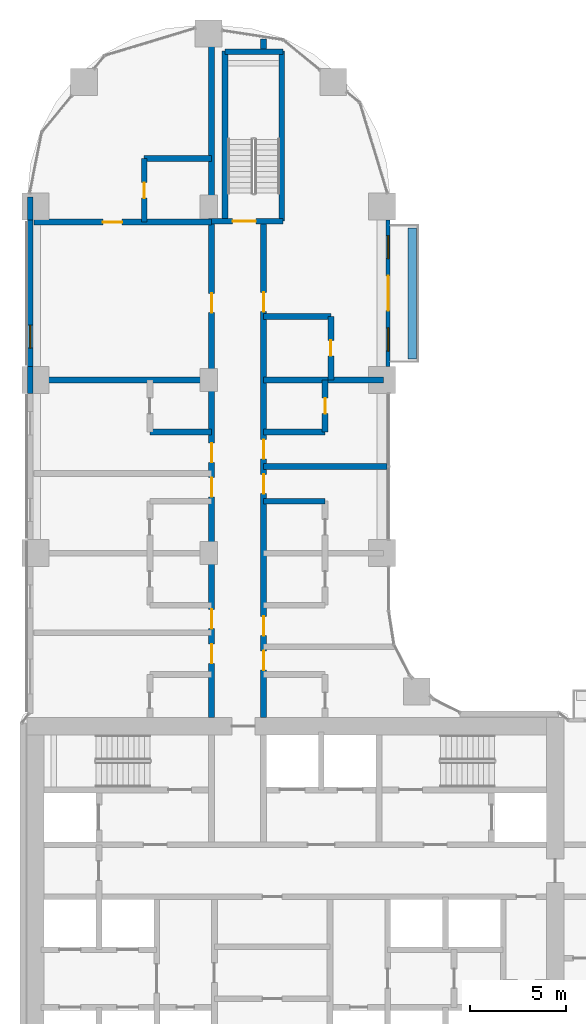
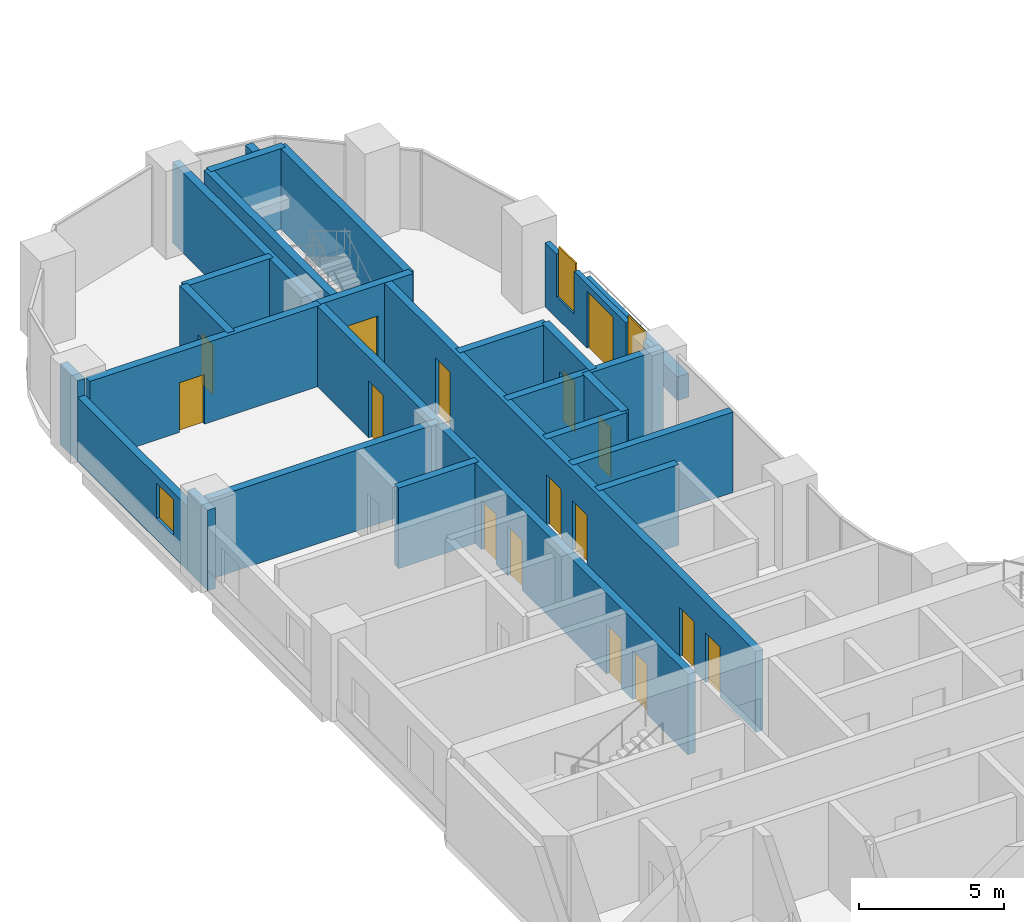
# One storey, part 18 of 30: 24 walls, 16 doors, 3 windows, 19 openings.
"""IFC4 building model written with IfcOpenShell, lengths in metres."""

from ifc_helpers import new_model, si_unit, direction, frame, frame_2d, origin, origin_2d, place, context, subcontext, project, spatial, rectangle, extrude, material, layer, layer_set, type_object, element, fill, save


model = new_model("IFC4")

# Units and contexts
model_context = context("Model", 3, precision=1e-05, world=origin(), true_north=direction((0.0, 1.0)))
body_context = subcontext(model_context, "Body", "Model", "MODEL_VIEW")
ifc_project = project(units=[si_unit("LENGTHUNIT", "METRE"), si_unit("AREAUNIT", "SQUARE_METRE"), si_unit("VOLUMEUNIT", "CUBIC_METRE"), si_unit("PLANEANGLEUNIT", "RADIAN"), si_unit("MASSUNIT", "GRAM", prefix="KILO")], contexts=[model_context])

# Site, building, storey
site_placement = place(None, origin())
site = spatial("IfcSite", under=ifc_project, at=site_placement, CompositionType="ELEMENT")
building_placement = place(site_placement, origin())
building = spatial("IfcBuilding", under=site, at=building_placement, Name="Ogive Portal Towers", CompositionType="ELEMENT")
storey_placement = place(building_placement, frame((0.0, 0.0, 37.199951171875)))
storey = spatial("IfcBuildingStorey", under=building, at=storey_placement, Name="L07", CompositionType="ELEMENT", Elevation=37.199951171875)

# Wall, openings, door, windows
ifc_material_1 = material(Name="Limestone cladding on lightweight block wall", Category="masonry")
ifc_layer_1 = layer(ifc_material_1, 0.199951171875)
ifc_layer_set_1 = layer_set([ifc_layer_1], Name="BALCONY BAY WALL 200")
wall_type_1 = type_object("IfcWallType", Name="BALCONY BAY WALL 200", PredefinedType="SOLIDWALL", material=ifc_layer_set_1)
wall_1_placement = place(storey_placement, frame((49.824951171875, 65.800048828125, 0.0), z_axis=(0.0, 0.0, 1.0), x_axis=(0.0, -1.0, 0.0)))
wall_1 = element("IfcWall", 1, at=wall_1_placement, inside=storey, type_object=wall_type_1, Name="A:L07:f06:bay0", PredefinedType="SOLIDWALL", context=body_context, shape_type="SweptSolid", body=[
    extrude(rectangle(XDim=7.60009765625, YDim=0.199951171875, at=frame_2d((3.800048828125, 0.0))), origin(), (0.0, 0.0, 1.0), 2.699951171875),
])
opening_1_placement = place(wall_1_placement, frame((2.89990234375, 0.0, 0.0)))
opening_1 = element("IfcOpeningElement", 2, at=opening_1_placement, cuts=wall_1, Name="Opening DX022", PredefinedType="OPENING", context=body_context, shape_type="SweptSolid", body=[
    extrude(rectangle(XDim=1.800048828125, YDim=2.39990234375, at=frame_2d((0.89990234375, 1.199951171875))), frame((0.0, 0.10986328125, 0.0), z_axis=(0.0, -1.0, 0.0), x_axis=(1.0, 0.0, 0.0)), (0.0, 0.0, 1.0), 0.219970703125),
])
opening_2_placement = place(wall_1_placement, frame((5.60009765625, 0.0, 0.89990234375)))
opening_2 = element("IfcOpeningElement", 3, at=opening_2_placement, cuts=wall_1, Name="Opening WN2", PredefinedType="OPENING", context=body_context, shape_type="SweptSolid", body=[
    extrude(rectangle(XDim=1.199951171875, YDim=2.10009765625, at=frame_2d((0.60009765625, 1.050048828125))), frame((0.0, 0.10986328125, 0.0), z_axis=(0.0, -1.0, 0.0), x_axis=(1.0, 0.0, 0.0)), (0.0, 0.0, 1.0), 0.219970703125),
])
opening_3_placement = place(wall_1_placement, frame((0.800048828125, 0.0, 0.89990234375)))
opening_3 = element("IfcOpeningElement", 4, at=opening_3_placement, cuts=wall_1, Name="Opening WN2", PredefinedType="OPENING", context=body_context, shape_type="SweptSolid", body=[
    extrude(rectangle(XDim=1.199951171875, YDim=2.10009765625, at=frame_2d((0.60009765625, 1.050048828125))), frame((0.0, 0.10986328125, 0.0), z_axis=(0.0, -1.0, 0.0), x_axis=(1.0, 0.0, 0.0)), (0.0, 0.0, 1.0), 0.219970703125),
])
ifc_material_2 = material(Name="Aluminium 6063 anodised", Category="aluminium")
door_type_1 = type_object("IfcDoorType", Name="BALCONY DOOR 1800x2400", OperationType="DOUBLE_DOOR_SINGLE_SWING", PredefinedType="DOOR", material=ifc_material_2)
door_1_placement = place(opening_1_placement, origin())
door_1 = element("IfcDoor", 5, at=door_1_placement, inside=storey, type_object=door_type_1, Name="A:L07:f06:bay0/o0", OperationType="SINGLE_SWING_LEFT", OverallHeight=2.39990234375, OverallWidth=1.800048828125, PredefinedType="DOOR", context=body_context, shape_type="SweptSolid", body=[
    extrude(rectangle(XDim=1.800048828125, YDim=2.39990234375, at=frame_2d((0.89990234375, 1.199951171875))), frame((0.0, 0.02490234375, 0.0), z_axis=(0.0, -1.0, 0.0), x_axis=(1.0, 0.0, 0.0)), (0.0, 0.0, 1.0), 0.050048828125),
])
fill(opening_1, door_1)
ifc_material_3 = material(Name="Glass, clear low-iron insulated glazing", Category="glass")
window_type_1 = type_object("IfcWindowType", Name="WINDOW BALCONY BAY 1200x2100", PartitioningType="SINGLE_PANEL", PredefinedType="WINDOW", material=ifc_material_3)
window_1_placement = place(opening_2_placement, origin())
window_1 = element("IfcWindow", 6, at=window_1_placement, inside=storey, type_object=window_type_1, Name="A:L07:f06:bay0/o1", OverallHeight=2.10009765625, OverallWidth=1.199951171875, PartitioningType="SINGLE_PANEL", PredefinedType="WINDOW", context=body_context, shape_type="SweptSolid", body=[
    extrude(rectangle(XDim=1.199951171875, YDim=2.10009765625, at=frame_2d((0.60009765625, 1.050048828125))), frame((0.0, 0.030029296875, 0.0), z_axis=(0.0, -1.0, 0.0), x_axis=(1.0, 0.0, 0.0)), (0.0, 0.0, 1.0), 0.06005859375),
])
fill(opening_2, window_1)
window_2_placement = place(opening_3_placement, origin())
window_2 = element("IfcWindow", 7, at=window_2_placement, inside=storey, type_object=window_type_1, Name="A:L07:f06:bay0/o2", OverallHeight=2.10009765625, OverallWidth=1.199951171875, PartitioningType="SINGLE_PANEL", PredefinedType="WINDOW", context=body_context, shape_type="SweptSolid", body=[
    extrude(rectangle(XDim=1.199951171875, YDim=2.10009765625, at=frame_2d((0.60009765625, 1.050048828125))), frame((0.0, 0.030029296875, 0.0), z_axis=(0.0, -1.0, 0.0), x_axis=(1.0, 0.0, 0.0)), (0.0, 0.0, 1.0), 0.06005859375),
])
fill(opening_3, window_2)

# Wall
ifc_layer_2 = layer(ifc_material_1, 0.300048828125)
ifc_layer_set_2 = layer_set([ifc_layer_2], Name="EXTERNAL WALL 300 STONE")
wall_type_2 = type_object("IfcWallType", Name="EXTERNAL WALL 300 STONE", PredefinedType="SOLIDWALL", material=ifc_layer_set_2)
wall_2_placement = place(storey_placement, frame((31.22509765625, 66.9921875, 0.0), z_axis=(0.0, 0.0, 1.0), x_axis=(0.0, -1.0, 0.0)))
element("IfcWall", 8, at=wall_2_placement, inside=storey, type_object=wall_type_2, Name="A:L07:f13:r0:wall", PredefinedType="SOLIDWALL", context=body_context, shape_type="SweptSolid", body=[
    extrude(rectangle(XDim=1.192138671875, YDim=0.300048828125, at=frame_2d((0.59619140625, 0.0))), origin(), (0.0, 0.0, 1.0), 3.400146484375),
])

# Wall, opening, window
wall_3_placement = place(storey_placement, frame((31.22509765625, 65.800048828125, 0.0), z_axis=(0.0, 0.0, 1.0), x_axis=(0.0, -1.0, 0.0)))
wall_3 = element("IfcWall", 9, at=wall_3_placement, inside=storey, type_object=wall_type_2, Name="A:L07:f13:r0:wall1", PredefinedType="SOLIDWALL", context=body_context, shape_type="SweptSolid", body=[
    extrude(rectangle(XDim=7.60009765625, YDim=0.300048828125, at=frame_2d((3.800048828125, 0.0))), origin(), (0.0, 0.0, 1.0), 2.699951171875),
])
opening_4_placement = place(wall_3_placement, frame((5.449951171875, 0.0, 0.89990234375)))
opening_4 = element("IfcOpeningElement", 10, at=opening_4_placement, cuts=wall_3, Name="Opening WN9", PredefinedType="OPENING", context=body_context, shape_type="SweptSolid", body=[
    extrude(rectangle(XDim=1.199951171875, YDim=1.5, at=frame_2d((0.60009765625, 0.75))), frame((0.0, 0.16015625, 0.0), z_axis=(0.0, -1.0, 0.0), x_axis=(1.0, 0.0, 0.0)), (0.0, 0.0, 1.0), 0.320068359375),
])
window_type_2 = type_object("IfcWindowType", Name="WINDOW HOTEL CASEMENT 1200x1500", PartitioningType="DOUBLE_PANEL_VERTICAL", PredefinedType="WINDOW", material=ifc_material_3)
window_3_placement = place(opening_4_placement, origin())
window_3 = element("IfcWindow", 11, at=window_3_placement, inside=storey, type_object=window_type_2, Name="A:L07:f13:r0:w1", OverallHeight=1.5, OverallWidth=1.199951171875, PartitioningType="SINGLE_PANEL", PredefinedType="WINDOW", context=body_context, shape_type="SweptSolid", body=[
    extrude(rectangle(XDim=1.199951171875, YDim=1.5, at=frame_2d((0.60009765625, 0.75))), frame((0.0, 0.030029296875, 0.0), z_axis=(0.0, -1.0, 0.0), x_axis=(1.0, 0.0, 0.0)), (0.0, 0.0, 1.0), 0.06005859375),
])
fill(opening_4, window_3)

# Walls
wall_4_placement = place(storey_placement, frame((31.22509765625, 58.199951171875, 0.0), z_axis=(0.0, 0.0, 1.0), x_axis=(0.0, -1.0, 0.0)))
element("IfcWall", 12, at=wall_4_placement, inside=storey, type_object=wall_type_2, Name="A:L07:f13:r0:wall2", PredefinedType="SOLIDWALL", context=body_context, shape_type="SweptSolid", body=[
    extrude(rectangle(XDim=1.39990234375, YDim=0.300048828125, at=frame_2d((0.699951171875, 0.0))), origin(), (0.0, 0.0, 1.0), 3.400146484375),
])
ifc_material_4 = material(Name="Concrete C40/50", Category="concrete")
ifc_layer_3 = layer(ifc_material_4, 0.449951171875)
ifc_layer_set_3 = layer_set([ifc_layer_3], Name="PLANTER WALL 450")
wall_type_3 = type_object("IfcWallType", Name="PLANTER WALL 450", PredefinedType="SOLIDWALL", material=ifc_layer_set_3)
wall_5_placement = place(storey_placement, frame((51.080078125, 62.0, 0.0), z_axis=(0.0, 0.0, 1.0), x_axis=(1.0, 0.0, 0.0)))
element("IfcWall", 13, at=wall_5_placement, inside=storey, type_object=wall_type_3, Name="Planter S2", PredefinedType="SOLIDWALL", context=body_context, shape_type="SweptSolid", body=[
    extrude(rectangle(XDim=0.449951171875, YDim=6.800048828125, at=origin_2d()), origin(), (0.0, 0.0, 1.0), 1.0),
])

# Wall, opening, door
ifc_material_5 = material(Name="Concrete C50/60", Category="concrete")
ifc_layer_4 = layer(ifc_material_5, 0.300048828125)
ifc_layer_set_4 = layer_set([ifc_layer_4], Name="STAIR WALL 300 C50")
wall_type_4 = type_object("IfcWallType", Name="STAIR WALL 300 C50", PredefinedType="SHEAR", material=ifc_layer_set_4)
wall_6_placement = place(storey_placement, frame((40.64990234375, 65.75, 0.0), z_axis=(0.0, 0.0, 1.0), x_axis=(1.0, 0.0, 0.0)))
wall_6 = element("IfcWall", 14, at=wall_6_placement, inside=storey, type_object=wall_type_4, Name="Stair wall ST-A3 L07", PredefinedType="SHEAR", context=body_context, shape_type="SweptSolid", body=[
    extrude(rectangle(XDim=3.7001953125, YDim=0.300048828125, at=frame_2d((1.85009765625, 0.0))), origin(), (0.0, 0.0, 1.0), 3.400146484375),
])
opening_5_placement = place(wall_6_placement, frame((1.10009765625, 0.0, 0.0)))
opening_5 = element("IfcOpeningElement", 15, at=opening_5_placement, cuts=wall_6, Name="Opening D01-071", PredefinedType="OPENING", context=body_context, shape_type="SweptSolid", body=[
    extrude(rectangle(XDim=1.199951171875, YDim=2.10009765625, at=frame_2d((0.60009765625, 1.050048828125))), frame((0.0, 0.16015625, 0.0), z_axis=(0.0, -1.0, 0.0), x_axis=(1.0, 0.0, 0.0)), (0.0, 0.0, 1.0), 0.320068359375),
])
ifc_material_6 = material(Name="Steel fire door", Category="steel")
door_type_2 = type_object("IfcDoorType", Name="DT-STAIR-1200x2100-FD90S", OperationType="SINGLE_SWING_LEFT", PredefinedType="DOOR", material=ifc_material_6)
door_2_placement = place(opening_5_placement, origin())
door_2 = element("IfcDoor", 16, at=door_2_placement, inside=storey, type_object=door_type_2, Name="Door D01-071", OperationType="SINGLE_SWING_RIGHT", OverallHeight=2.10009765625, OverallWidth=1.199951171875, PredefinedType="DOOR", context=body_context, shape_type="SweptSolid", body=[
    extrude(rectangle(XDim=1.199951171875, YDim=2.10009765625, at=frame_2d((0.60009765625, 1.050048828125))), frame((0.0, 0.02490234375, 0.0), z_axis=(0.0, -1.0, 0.0), x_axis=(1.0, 0.0, 0.0)), (0.0, 0.0, 1.0), 0.050048828125),
])
fill(opening_5, door_2)

# Walls
wall_7_placement = place(storey_placement, frame((41.35009765625, 74.550048828125, 0.0), z_axis=(0.0, 0.0, 1.0), x_axis=(1.0, 0.0, 0.0)))
element("IfcWall", 17, at=wall_7_placement, inside=storey, type_object=wall_type_4, Name="Stair wall ST-A3 L07", PredefinedType="SHEAR", context=body_context, shape_type="SweptSolid", body=[
    extrude(rectangle(XDim=3.0, YDim=0.300048828125, at=frame_2d((1.5, 0.0))), origin(), (0.0, 0.0, 1.0), 3.400146484375),
])
for number, where, z_axis, x_axis, name in (
    (18, (41.35009765625, 65.75, 0.0), (0.0, 0.0, 1.0), (0.0, 1.0, 0.0), "Stair wall ST-A3 L07"),
    (19, (44.300048828125, 65.75, 0.0), (0.0, 0.0, 1.0), (0.0, 1.0, 0.0), "Stair wall ST-A3 L07"),
):
    element("IfcWall", number, at=place(storey_placement, frame(where, z_axis=z_axis, x_axis=x_axis)), inside=storey, type_object=wall_type_4, Name=name, PredefinedType="SHEAR", context=body_context, shape_type="SweptSolid", body=[
        extrude(rectangle(XDim=8.85009765625, YDim=0.300048828125, at=frame_2d((4.425048828125, 0.0))), origin(), (0.0, 0.0, 1.0), 3.400146484375),
    ])
ifc_material_7 = material(Name="Gypsum board partition on steel studs", Category="steel")
ifc_layer_5 = layer(ifc_material_7, 0.300048828125)
ifc_layer_set_5 = layer_set([ifc_layer_5], Name="WT-PART-300-EI 60")
wall_type_5 = type_object("IfcWallType", Name="WT-PART-300-EI 60", PredefinedType="PARTITIONING", material=ifc_layer_set_5)
wall_8_placement = place(storey_placement, frame((43.35009765625, 51.199951171875, 0.0), z_axis=(0.0, 0.0, 1.0), x_axis=(1.0, 0.0, 0.0)))
element("IfcWall", 20, at=wall_8_placement, inside=storey, type_object=wall_type_5, Name="Wall L07:w023", PredefinedType="PARTITIONING", context=body_context, shape_type="SweptSolid", body=[
    extrude(rectangle(XDim=3.199951171875, YDim=0.300048828125, at=frame_2d((1.60009765625, 0.0))), origin(), (0.0, 0.0, 1.0), 3.400146484375),
])
wall_9_placement = place(storey_placement, frame((43.35009765625, 53.0, 0.0), z_axis=(0.0, 0.0, 1.0), x_axis=(1.0, 0.0, 0.0)))
element("IfcWall", 21, at=wall_9_placement, inside=storey, type_object=wall_type_5, Name="Wall L07:w025", PredefinedType="PARTITIONING", context=body_context, shape_type="SweptSolid", body=[
    extrude(rectangle(XDim=6.40478515625, YDim=0.300048828125, at=frame_2d((3.202392578125, 0.0))), origin(), (0.0, 0.0, 1.0), 3.400146484375),
])
for number, where, z_axis, x_axis, name in (
    (22, (37.449951171875, 54.800048828125, 0.0), (0.0, 0.0, 1.0), (1.0, 0.0, 0.0), "Wall L07:w026"),
    (23, (43.35009765625, 54.800048828125, 0.0), (0.0, 0.0, 1.0), (1.0, 0.0, 0.0), "Wall L07:w027"),
):
    element("IfcWall", number, at=place(storey_placement, frame(where, z_axis=z_axis, x_axis=x_axis)), inside=storey, type_object=wall_type_5, Name=name, PredefinedType="PARTITIONING", context=body_context, shape_type="SweptSolid", body=[
        extrude(rectangle(XDim=3.199951171875, YDim=0.300048828125, at=frame_2d((1.60009765625, 0.0))), origin(), (0.0, 0.0, 1.0), 3.400146484375),
    ])
wall_10_placement = place(storey_placement, frame((31.425048828125, 57.5, 0.0), z_axis=(0.0, 0.0, 1.0), x_axis=(1.0, 0.0, 0.0)))
element("IfcWall", 24, at=wall_10_placement, inside=storey, type_object=wall_type_5, Name="Wall L07:w028", PredefinedType="PARTITIONING", context=body_context, shape_type="SweptSolid", body=[
    extrude(rectangle(XDim=9.224853515625, YDim=0.300048828125, at=frame_2d((4.6123046875, 0.0))), origin(), (0.0, 0.0, 1.0), 3.400146484375),
])
wall_11_placement = place(storey_placement, frame((43.35009765625, 57.5, 0.0), z_axis=(0.0, 0.0, 1.0), x_axis=(1.0, 0.0, 0.0)))
element("IfcWall", 25, at=wall_11_placement, inside=storey, type_object=wall_type_5, Name="Wall L07:w029", PredefinedType="PARTITIONING", context=body_context, shape_type="SweptSolid", body=[
    extrude(rectangle(XDim=6.224853515625, YDim=0.300048828125, at=frame_2d((3.1123046875, 0.0))), origin(), (0.0, 0.0, 1.0), 3.400146484375),
])
wall_12_placement = place(storey_placement, frame((43.35009765625, 60.800048828125, 0.0), z_axis=(0.0, 0.0, 1.0), x_axis=(1.0, 0.0, 0.0)))
element("IfcWall", 26, at=wall_12_placement, inside=storey, type_object=wall_type_5, Name="Wall L07:w030", PredefinedType="PARTITIONING", context=body_context, shape_type="SweptSolid", body=[
    extrude(rectangle(XDim=3.5, YDim=0.300048828125, at=frame_2d((1.75, 0.0))), origin(), (0.0, 0.0, 1.0), 3.400146484375),
])

# Wall, opening, door
wall_13_placement = place(storey_placement, frame((31.425048828125, 65.699951171875, 0.0), z_axis=(0.0, 0.0, 1.0), x_axis=(1.0, 0.0, 0.0)))
wall_13 = element("IfcWall", 27, at=wall_13_placement, inside=storey, type_object=wall_type_5, Name="Wall L07:w031", PredefinedType="PARTITIONING", context=body_context, shape_type="SweptSolid", body=[
    extrude(rectangle(XDim=9.224853515625, YDim=0.300048828125, at=frame_2d((4.6123046875, 0.0))), origin(), (0.0, 0.0, 1.0), 3.400146484375),
])
opening_6_placement = place(wall_13_placement, frame((3.574951171875, 0.0, 0.0)))
opening_6 = element("IfcOpeningElement", 28, at=opening_6_placement, cuts=wall_13, Name="Opening D01-065", PredefinedType="OPENING", context=body_context, shape_type="SweptSolid", body=[
    extrude(rectangle(XDim=1.0, YDim=2.10009765625, at=frame_2d((0.5, 1.050048828125))), frame((0.0, 0.16015625, 0.0), z_axis=(0.0, -1.0, 0.0), x_axis=(1.0, 0.0, 0.0)), (0.0, 0.0, 1.0), 0.320068359375),
])
door_type_3 = type_object("IfcDoorType", Name="DT-ENTRY-1000x2100-FD60S", OperationType="SINGLE_SWING_LEFT", PredefinedType="DOOR", material=ifc_material_6)
door_3_placement = place(opening_6_placement, origin())
door_3 = element("IfcDoor", 29, at=door_3_placement, inside=storey, type_object=door_type_3, Name="Door D01-065", OperationType="SINGLE_SWING_RIGHT", OverallHeight=2.10009765625, OverallWidth=1.0, PredefinedType="DOOR", context=body_context, shape_type="SweptSolid", body=[
    extrude(rectangle(XDim=1.0, YDim=2.10009765625, at=frame_2d((0.5, 1.050048828125))), frame((0.0, 0.02490234375, 0.0), z_axis=(0.0, -1.0, 0.0), x_axis=(1.0, 0.0, 0.0)), (0.0, 0.0, 1.0), 0.050048828125),
])
fill(opening_6, door_3)

# Wall
wall_14_placement = place(storey_placement, frame((37.14990234375, 69.0, 0.0), z_axis=(0.0, 0.0, 1.0), x_axis=(1.0, 0.0, 0.0)))
element("IfcWall", 30, at=wall_14_placement, inside=storey, type_object=wall_type_5, Name="Wall L07:w033", PredefinedType="PARTITIONING", context=body_context, shape_type="SweptSolid", body=[
    extrude(rectangle(XDim=3.5, YDim=0.300048828125, at=frame_2d((1.75, 0.0))), origin(), (0.0, 0.0, 1.0), 3.400146484375),
])

# Wall, opening, door
wall_15_placement = place(storey_placement, frame((37.14990234375, 65.699951171875, 0.0), z_axis=(0.0, 0.0, 1.0), x_axis=(0.0, 1.0, 0.0)))
wall_15 = element("IfcWall", 31, at=wall_15_placement, inside=storey, type_object=wall_type_5, Name="Wall L07:w035", PredefinedType="PARTITIONING", context=body_context, shape_type="SweptSolid", body=[
    extrude(rectangle(XDim=3.300048828125, YDim=0.300048828125, at=frame_2d((1.64990234375, 0.0))), origin(), (0.0, 0.0, 1.0), 3.400146484375),
])
opening_7_placement = place(wall_15_placement, frame((1.25, 0.0, 0.0)))
opening_7 = element("IfcOpeningElement", 32, at=opening_7_placement, cuts=wall_15, Name="Opening D01-066", PredefinedType="OPENING", context=body_context, shape_type="SweptSolid", body=[
    extrude(rectangle(XDim=0.800048828125, YDim=2.10009765625, at=frame_2d((0.39990234375, 1.050048828125))), frame((0.0, 0.16015625, 0.0), z_axis=(0.0, -1.0, 0.0), x_axis=(1.0, 0.0, 0.0)), (0.0, 0.0, 1.0), 0.320068359375),
])
door_type_4 = type_object("IfcDoorType", Name="DT-BATH-800x2100-FD60S", OperationType="SINGLE_SWING_LEFT", PredefinedType="DOOR", material=ifc_material_6)
door_4_placement = place(opening_7_placement, origin())
door_4 = element("IfcDoor", 33, at=door_4_placement, inside=storey, type_object=door_type_4, Name="Door D01-066", OperationType="SINGLE_SWING_LEFT", OverallHeight=2.10009765625, OverallWidth=0.800048828125, PredefinedType="DOOR", context=body_context, shape_type="SweptSolid", body=[
    extrude(rectangle(XDim=0.800048828125, YDim=2.10009765625, at=frame_2d((0.39990234375, 1.050048828125))), frame((0.0, 0.02490234375, 0.0), z_axis=(0.0, -1.0, 0.0), x_axis=(1.0, 0.0, 0.0)), (0.0, 0.0, 1.0), 0.050048828125),
])
fill(opening_7, door_4)

# Wall, openings, doors
wall_16_placement = place(storey_placement, frame((40.64990234375, 39.949951171875, 0.0), z_axis=(0.0, 0.0, 1.0), x_axis=(0.0, 1.0, 0.0)))
wall_16 = element("IfcWall", 34, at=wall_16_placement, inside=storey, type_object=wall_type_5, Name="Wall L07:w039", PredefinedType="PARTITIONING", context=body_context, shape_type="SweptSolid", body=[
    extrude(rectangle(XDim=35.625, YDim=0.300048828125, at=frame_2d((17.8125, 0.0))), origin(), (0.0, 0.0, 1.0), 3.400146484375),
])
opening_8_placement = place(wall_16_placement, frame((2.830078125, 0.0, 0.0)))
opening_8 = element("IfcOpeningElement", 35, at=opening_8_placement, cuts=wall_16, Name="Opening D01-051", PredefinedType="OPENING", context=body_context, shape_type="SweptSolid", body=[
    extrude(rectangle(XDim=1.0, YDim=2.10009765625, at=frame_2d((0.5, 1.050048828125))), frame((0.0, 0.16015625, 0.0), z_axis=(0.0, -1.0, 0.0), x_axis=(1.0, 0.0, 0.0)), (0.0, 0.0, 1.0), 0.320068359375),
])
opening_9_placement = place(wall_16_placement, frame((4.6298828125, 0.0, 0.0)))
opening_9 = element("IfcOpeningElement", 36, at=opening_9_placement, cuts=wall_16, Name="Opening D01-053", PredefinedType="OPENING", context=body_context, shape_type="SweptSolid", body=[
    extrude(rectangle(XDim=1.0, YDim=2.10009765625, at=frame_2d((0.5, 1.050048828125))), frame((0.0, 0.16015625, 0.0), z_axis=(0.0, -1.0, 0.0), x_axis=(1.0, 0.0, 0.0)), (0.0, 0.0, 1.0), 0.320068359375),
])
opening_10_placement = place(wall_16_placement, frame((11.469970703125, 0.0, 0.0)))
opening_10 = element("IfcOpeningElement", 37, at=opening_10_placement, cuts=wall_16, Name="Opening D01-059", PredefinedType="OPENING", context=body_context, shape_type="SweptSolid", body=[
    extrude(rectangle(XDim=1.0, YDim=2.10009765625, at=frame_2d((0.5, 1.050048828125))), frame((0.0, 0.16015625, 0.0), z_axis=(0.0, -1.0, 0.0), x_axis=(1.0, 0.0, 0.0)), (0.0, 0.0, 1.0), 0.320068359375),
])
opening_11_placement = place(wall_16_placement, frame((13.27001953125, 0.0, 0.0)))
opening_11 = element("IfcOpeningElement", 38, at=opening_11_placement, cuts=wall_16, Name="Opening D01-061", PredefinedType="OPENING", context=body_context, shape_type="SweptSolid", body=[
    extrude(rectangle(XDim=1.0, YDim=2.10009765625, at=frame_2d((0.5, 1.050048828125))), frame((0.0, 0.16015625, 0.0), z_axis=(0.0, -1.0, 0.0), x_axis=(1.0, 0.0, 0.0)), (0.0, 0.0, 1.0), 0.320068359375),
])
opening_12_placement = place(wall_16_placement, frame((21.050048828125, 0.0, 0.0)))
opening_12 = element("IfcOpeningElement", 39, at=opening_12_placement, cuts=wall_16, Name="Opening D01-064", PredefinedType="OPENING", context=body_context, shape_type="SweptSolid", body=[
    extrude(rectangle(XDim=1.0, YDim=2.39990234375, at=frame_2d((0.5, 1.199951171875))), frame((0.0, 0.16015625, 0.0), z_axis=(0.0, -1.0, 0.0), x_axis=(1.0, 0.0, 0.0)), (0.0, 0.0, 1.0), 0.320068359375),
])
door_5_placement = place(opening_8_placement, origin())
door_5 = element("IfcDoor", 40, at=door_5_placement, inside=storey, type_object=door_type_3, Name="Door D01-051", OperationType="SINGLE_SWING_RIGHT", OverallHeight=2.10009765625, OverallWidth=1.0, PredefinedType="DOOR", context=body_context, shape_type="SweptSolid", body=[
    extrude(rectangle(XDim=1.0, YDim=2.10009765625, at=frame_2d((0.5, 1.050048828125))), frame((0.0, 0.02490234375, 0.0), z_axis=(0.0, -1.0, 0.0), x_axis=(1.0, 0.0, 0.0)), (0.0, 0.0, 1.0), 0.050048828125),
])
fill(opening_8, door_5)
door_6_placement = place(opening_9_placement, origin())
door_6 = element("IfcDoor", 41, at=door_6_placement, inside=storey, type_object=door_type_3, Name="Door D01-053", OperationType="SINGLE_SWING_LEFT", OverallHeight=2.10009765625, OverallWidth=1.0, PredefinedType="DOOR", context=body_context, shape_type="SweptSolid", body=[
    extrude(rectangle(XDim=1.0, YDim=2.10009765625, at=frame_2d((0.5, 1.050048828125))), frame((0.0, 0.02490234375, 0.0), z_axis=(0.0, -1.0, 0.0), x_axis=(1.0, 0.0, 0.0)), (0.0, 0.0, 1.0), 0.050048828125),
])
fill(opening_9, door_6)
door_7_placement = place(opening_10_placement, origin())
door_7 = element("IfcDoor", 42, at=door_7_placement, inside=storey, type_object=door_type_3, Name="Door D01-059", OperationType="SINGLE_SWING_LEFT", OverallHeight=2.10009765625, OverallWidth=1.0, PredefinedType="DOOR", context=body_context, shape_type="SweptSolid", body=[
    extrude(rectangle(XDim=1.0, YDim=2.10009765625, at=frame_2d((0.5, 1.050048828125))), frame((0.0, 0.02490234375, 0.0), z_axis=(0.0, -1.0, 0.0), x_axis=(1.0, 0.0, 0.0)), (0.0, 0.0, 1.0), 0.050048828125),
])
fill(opening_10, door_7)
door_8_placement = place(opening_11_placement, origin())
door_8 = element("IfcDoor", 43, at=door_8_placement, inside=storey, type_object=door_type_3, Name="Door D01-061", OperationType="SINGLE_SWING_LEFT", OverallHeight=2.10009765625, OverallWidth=1.0, PredefinedType="DOOR", context=body_context, shape_type="SweptSolid", body=[
    extrude(rectangle(XDim=1.0, YDim=2.10009765625, at=frame_2d((0.5, 1.050048828125))), frame((0.0, 0.02490234375, 0.0), z_axis=(0.0, -1.0, 0.0), x_axis=(1.0, 0.0, 0.0)), (0.0, 0.0, 1.0), 0.050048828125),
])
fill(opening_11, door_8)
door_type_5 = type_object("IfcDoorType", Name="DT-ENTRY-1000x2400-FD60S", OperationType="SINGLE_SWING_LEFT", PredefinedType="DOOR", material=ifc_material_6)
door_9_placement = place(opening_12_placement, origin())
door_9 = element("IfcDoor", 44, at=door_9_placement, inside=storey, type_object=door_type_5, Name="Door D01-064", OperationType="SINGLE_SWING_LEFT", OverallHeight=2.39990234375, OverallWidth=1.0, PredefinedType="DOOR", context=body_context, shape_type="SweptSolid", body=[
    extrude(rectangle(XDim=1.0, YDim=2.39990234375, at=frame_2d((0.5, 1.199951171875))), frame((0.0, 0.02490234375, 0.0), z_axis=(0.0, -1.0, 0.0), x_axis=(1.0, 0.0, 0.0)), (0.0, 0.0, 1.0), 0.050048828125),
])
fill(opening_12, door_9)

# Wall, opening, door
wall_17_placement = place(storey_placement, frame((46.550048828125, 54.800048828125, 0.0), z_axis=(0.0, 0.0, 1.0), x_axis=(0.0, 1.0, 0.0)))
wall_17 = element("IfcWall", 45, at=wall_17_placement, inside=storey, type_object=wall_type_5, Name="Wall L07:w046", PredefinedType="PARTITIONING", context=body_context, shape_type="SweptSolid", body=[
    extrude(rectangle(XDim=2.699951171875, YDim=0.300048828125, at=frame_2d((1.35009765625, 0.0))), origin(), (0.0, 0.0, 1.0), 3.400146484375),
])
opening_13_placement = place(wall_17_placement, frame((0.949951171875, 0.0, 0.0)))
opening_13 = element("IfcOpeningElement", 46, at=opening_13_placement, cuts=wall_17, Name="Opening D01-056", PredefinedType="OPENING", context=body_context, shape_type="SweptSolid", body=[
    extrude(rectangle(XDim=0.800048828125, YDim=2.10009765625, at=frame_2d((0.39990234375, 1.050048828125))), frame((0.0, 0.16015625, 0.0), z_axis=(0.0, -1.0, 0.0), x_axis=(1.0, 0.0, 0.0)), (0.0, 0.0, 1.0), 0.320068359375),
])
door_10_placement = place(opening_13_placement, origin())
door_10 = element("IfcDoor", 47, at=door_10_placement, inside=storey, type_object=door_type_4, Name="Door D01-056", OperationType="SINGLE_SWING_LEFT", OverallHeight=2.10009765625, OverallWidth=0.800048828125, PredefinedType="DOOR", context=body_context, shape_type="SweptSolid", body=[
    extrude(rectangle(XDim=0.800048828125, YDim=2.10009765625, at=frame_2d((0.39990234375, 1.050048828125))), frame((0.0, 0.02490234375, 0.0), z_axis=(0.0, -1.0, 0.0), x_axis=(1.0, 0.0, 0.0)), (0.0, 0.0, 1.0), 0.050048828125),
])
fill(opening_13, door_10)

wall_18_placement = place(storey_placement, frame((46.85009765625, 57.5, 0.0), z_axis=(0.0, 0.0, 1.0), x_axis=(0.0, 1.0, 0.0)))
wall_18 = element("IfcWall", 48, at=wall_18_placement, inside=storey, type_object=wall_type_5, Name="Wall L07:w047", PredefinedType="PARTITIONING", context=body_context, shape_type="SweptSolid", body=[
    extrude(rectangle(XDim=3.300048828125, YDim=0.300048828125, at=frame_2d((1.64990234375, 0.0))), origin(), (0.0, 0.0, 1.0), 3.400146484375),
])
opening_14_placement = place(wall_18_placement, frame((1.25, 0.0, 0.0)))
opening_14 = element("IfcOpeningElement", 49, at=opening_14_placement, cuts=wall_18, Name="Opening D01-062", PredefinedType="OPENING", context=body_context, shape_type="SweptSolid", body=[
    extrude(rectangle(XDim=0.800048828125, YDim=2.10009765625, at=frame_2d((0.39990234375, 1.050048828125))), frame((0.0, 0.16015625, 0.0), z_axis=(0.0, -1.0, 0.0), x_axis=(1.0, 0.0, 0.0)), (0.0, 0.0, 1.0), 0.320068359375),
])
door_11_placement = place(opening_14_placement, origin())
door_11 = element("IfcDoor", 50, at=door_11_placement, inside=storey, type_object=door_type_4, Name="Door D01-062", OperationType="SINGLE_SWING_LEFT", OverallHeight=2.10009765625, OverallWidth=0.800048828125, PredefinedType="DOOR", context=body_context, shape_type="SweptSolid", body=[
    extrude(rectangle(XDim=0.800048828125, YDim=2.10009765625, at=frame_2d((0.39990234375, 1.050048828125))), frame((0.0, 0.02490234375, 0.0), z_axis=(0.0, -1.0, 0.0), x_axis=(1.0, 0.0, 0.0)), (0.0, 0.0, 1.0), 0.050048828125),
])
fill(opening_14, door_11)

# Wall, openings, doors
ifc_layer_6 = layer(ifc_material_4, 0.300048828125)
ifc_layer_set_6 = layer_set([ifc_layer_6], Name="WT-SHAFT-300")
wall_type_6 = type_object("IfcWallType", Name="WT-SHAFT-300", PredefinedType="SOLIDWALL", material=ifc_layer_set_6)
wall_19_placement = place(storey_placement, frame((43.35009765625, 39.949951171875, 0.0), z_axis=(0.0, 0.0, 1.0), x_axis=(0.0, 1.0, 0.0)))
wall_19 = element("IfcWall", 51, at=wall_19_placement, inside=storey, type_object=wall_type_6, Name="Wall L07:w041", PredefinedType="SOLIDWALL", context=body_context, shape_type="SweptSolid", body=[
    extrude(rectangle(XDim=25.85009765625, YDim=0.300048828125, at=frame_2d((12.925048828125, 0.0))), origin(), (0.0, 0.0, 1.0), 3.400146484375),
])
opening_15_placement = place(wall_19_placement, frame((2.469970703125, 0.0, 0.0)))
opening_15 = element("IfcOpeningElement", 52, at=opening_15_placement, cuts=wall_19, Name="Opening D01-047", PredefinedType="OPENING", context=body_context, shape_type="SweptSolid", body=[
    extrude(rectangle(XDim=1.0, YDim=2.10009765625, at=frame_2d((0.5, 1.050048828125))), frame((0.0, 0.16015625, 0.0), z_axis=(0.0, -1.0, 0.0), x_axis=(1.0, 0.0, 0.0)), (0.0, 0.0, 1.0), 0.320068359375),
])
opening_16_placement = place(wall_19_placement, frame((4.27001953125, 0.0, 0.0)))
opening_16 = element("IfcOpeningElement", 53, at=opening_16_placement, cuts=wall_19, Name="Opening D01-049", PredefinedType="OPENING", context=body_context, shape_type="SweptSolid", body=[
    extrude(rectangle(XDim=1.0, YDim=2.10009765625, at=frame_2d((0.5, 1.050048828125))), frame((0.0, 0.16015625, 0.0), z_axis=(0.0, -1.0, 0.0), x_axis=(1.0, 0.0, 0.0)), (0.0, 0.0, 1.0), 0.320068359375),
])
opening_17_placement = place(wall_19_placement, frame((11.64990234375, 0.0, 0.0)))
opening_17 = element("IfcOpeningElement", 54, at=opening_17_placement, cuts=wall_19, Name="Opening D01-055", PredefinedType="OPENING", context=body_context, shape_type="SweptSolid", body=[
    extrude(rectangle(XDim=1.0, YDim=2.10009765625, at=frame_2d((0.5, 1.050048828125))), frame((0.0, 0.16015625, 0.0), z_axis=(0.0, -1.0, 0.0), x_axis=(1.0, 0.0, 0.0)), (0.0, 0.0, 1.0), 0.320068359375),
])
opening_18_placement = place(wall_19_placement, frame((13.449951171875, 0.0, 0.0)))
opening_18 = element("IfcOpeningElement", 55, at=opening_18_placement, cuts=wall_19, Name="Opening D01-057", PredefinedType="OPENING", context=body_context, shape_type="SweptSolid", body=[
    extrude(rectangle(XDim=1.0, YDim=2.10009765625, at=frame_2d((0.5, 1.050048828125))), frame((0.0, 0.16015625, 0.0), z_axis=(0.0, -1.0, 0.0), x_axis=(1.0, 0.0, 0.0)), (0.0, 0.0, 1.0), 0.320068359375),
])
opening_19_placement = place(wall_19_placement, frame((21.10009765625, 0.0, 0.0)))
opening_19 = element("IfcOpeningElement", 56, at=opening_19_placement, cuts=wall_19, Name="Opening D01-063", PredefinedType="OPENING", context=body_context, shape_type="SweptSolid", body=[
    extrude(rectangle(XDim=1.0, YDim=2.39990234375, at=frame_2d((0.5, 1.199951171875))), frame((0.0, 0.16015625, 0.0), z_axis=(0.0, -1.0, 0.0), x_axis=(1.0, 0.0, 0.0)), (0.0, 0.0, 1.0), 0.320068359375),
])
door_type_6 = type_object("IfcDoorType", Name="DT-ENTRY-1000x2100-FD90S", OperationType="SINGLE_SWING_LEFT", PredefinedType="DOOR", material=ifc_material_6)
door_12_placement = place(opening_15_placement, origin())
door_12 = element("IfcDoor", 57, at=door_12_placement, inside=storey, type_object=door_type_6, Name="Door D01-047", OperationType="SINGLE_SWING_LEFT", OverallHeight=2.10009765625, OverallWidth=1.0, PredefinedType="DOOR", context=body_context, shape_type="SweptSolid", body=[
    extrude(rectangle(XDim=1.0, YDim=2.10009765625, at=frame_2d((0.5, 1.050048828125))), frame((0.0, 0.02490234375, 0.0), z_axis=(0.0, -1.0, 0.0), x_axis=(1.0, 0.0, 0.0)), (0.0, 0.0, 1.0), 0.050048828125),
])
fill(opening_15, door_12)
door_13_placement = place(opening_16_placement, origin())
door_13 = element("IfcDoor", 58, at=door_13_placement, inside=storey, type_object=door_type_6, Name="Door D01-049", OperationType="SINGLE_SWING_LEFT", OverallHeight=2.10009765625, OverallWidth=1.0, PredefinedType="DOOR", context=body_context, shape_type="SweptSolid", body=[
    extrude(rectangle(XDim=1.0, YDim=2.10009765625, at=frame_2d((0.5, 1.050048828125))), frame((0.0, 0.02490234375, 0.0), z_axis=(0.0, -1.0, 0.0), x_axis=(1.0, 0.0, 0.0)), (0.0, 0.0, 1.0), 0.050048828125),
])
fill(opening_16, door_13)
door_14_placement = place(opening_17_placement, origin())
door_14 = element("IfcDoor", 59, at=door_14_placement, inside=storey, type_object=door_type_6, Name="Door D01-055", OperationType="SINGLE_SWING_LEFT", OverallHeight=2.10009765625, OverallWidth=1.0, PredefinedType="DOOR", context=body_context, shape_type="SweptSolid", body=[
    extrude(rectangle(XDim=1.0, YDim=2.10009765625, at=frame_2d((0.5, 1.050048828125))), frame((0.0, 0.02490234375, 0.0), z_axis=(0.0, -1.0, 0.0), x_axis=(1.0, 0.0, 0.0)), (0.0, 0.0, 1.0), 0.050048828125),
])
fill(opening_17, door_14)
door_15_placement = place(opening_18_placement, origin())
door_15 = element("IfcDoor", 60, at=door_15_placement, inside=storey, type_object=door_type_6, Name="Door D01-057", OperationType="SINGLE_SWING_RIGHT", OverallHeight=2.10009765625, OverallWidth=1.0, PredefinedType="DOOR", context=body_context, shape_type="SweptSolid", body=[
    extrude(rectangle(XDim=1.0, YDim=2.10009765625, at=frame_2d((0.5, 1.050048828125))), frame((0.0, 0.02490234375, 0.0), z_axis=(0.0, -1.0, 0.0), x_axis=(1.0, 0.0, 0.0)), (0.0, 0.0, 1.0), 0.050048828125),
])
fill(opening_18, door_15)
door_type_7 = type_object("IfcDoorType", Name="DT-ENTRY-1000x2400-FD90S", OperationType="SINGLE_SWING_LEFT", PredefinedType="DOOR", material=ifc_material_6)
door_16_placement = place(opening_19_placement, origin())
door_16 = element("IfcDoor", 61, at=door_16_placement, inside=storey, type_object=door_type_7, Name="Door D01-063", OperationType="SINGLE_SWING_RIGHT", OverallHeight=2.39990234375, OverallWidth=1.0, PredefinedType="DOOR", context=body_context, shape_type="SweptSolid", body=[
    extrude(rectangle(XDim=1.0, YDim=2.39990234375, at=frame_2d((0.5, 1.199951171875))), frame((0.0, 0.02490234375, 0.0), z_axis=(0.0, -1.0, 0.0), x_axis=(1.0, 0.0, 0.0)), (0.0, 0.0, 1.0), 0.050048828125),
])
fill(opening_19, door_16)

# Wall
wall_20_placement = place(storey_placement, frame((43.35009765625, 74.698974609375, 0.0), z_axis=(0.0, 0.0, 1.0), x_axis=(0.0, 1.0, 0.0)))
element("IfcWall", 62, at=wall_20_placement, inside=storey, type_object=wall_type_6, Name="Wall L07:w042", PredefinedType="SOLIDWALL", context=body_context, shape_type="SweptSolid", body=[
    extrude(rectangle(XDim=0.50390625, YDim=0.300048828125, at=frame_2d((0.251953125, 0.0))), origin(), (0.0, 0.0, 1.0), 3.400146484375),
])

save(model, "model.ifc")
